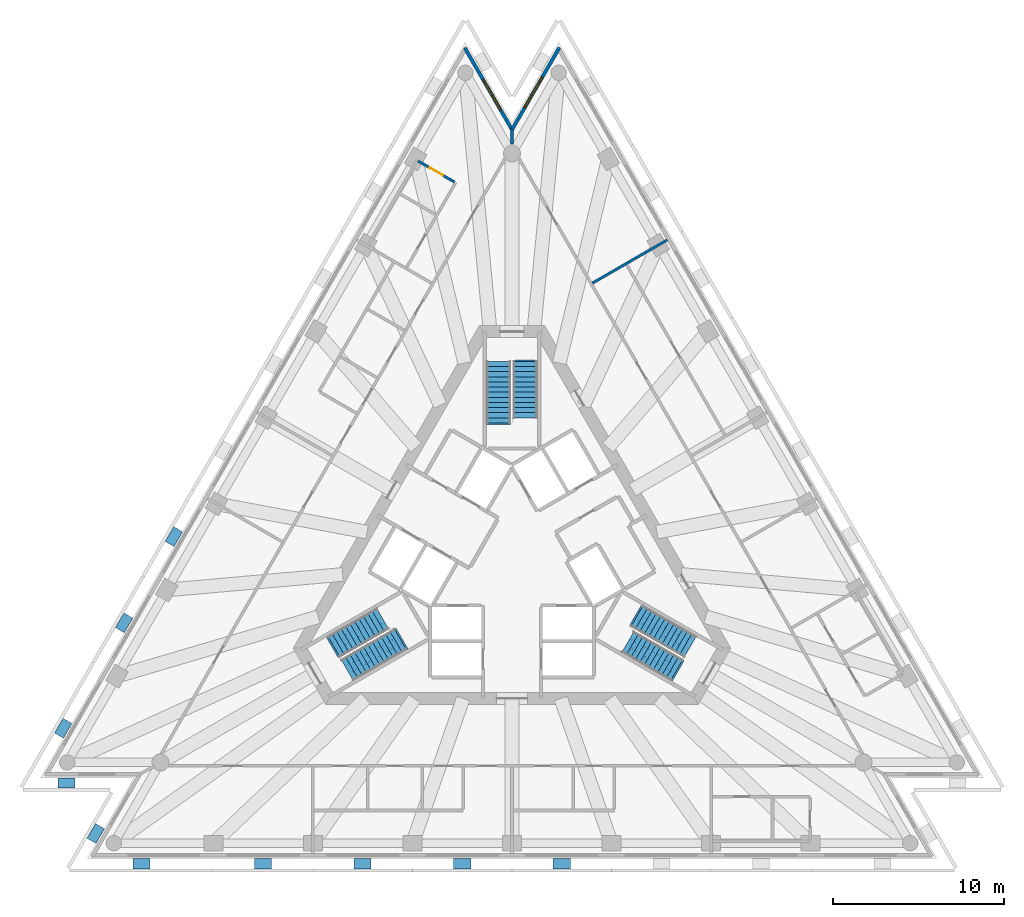
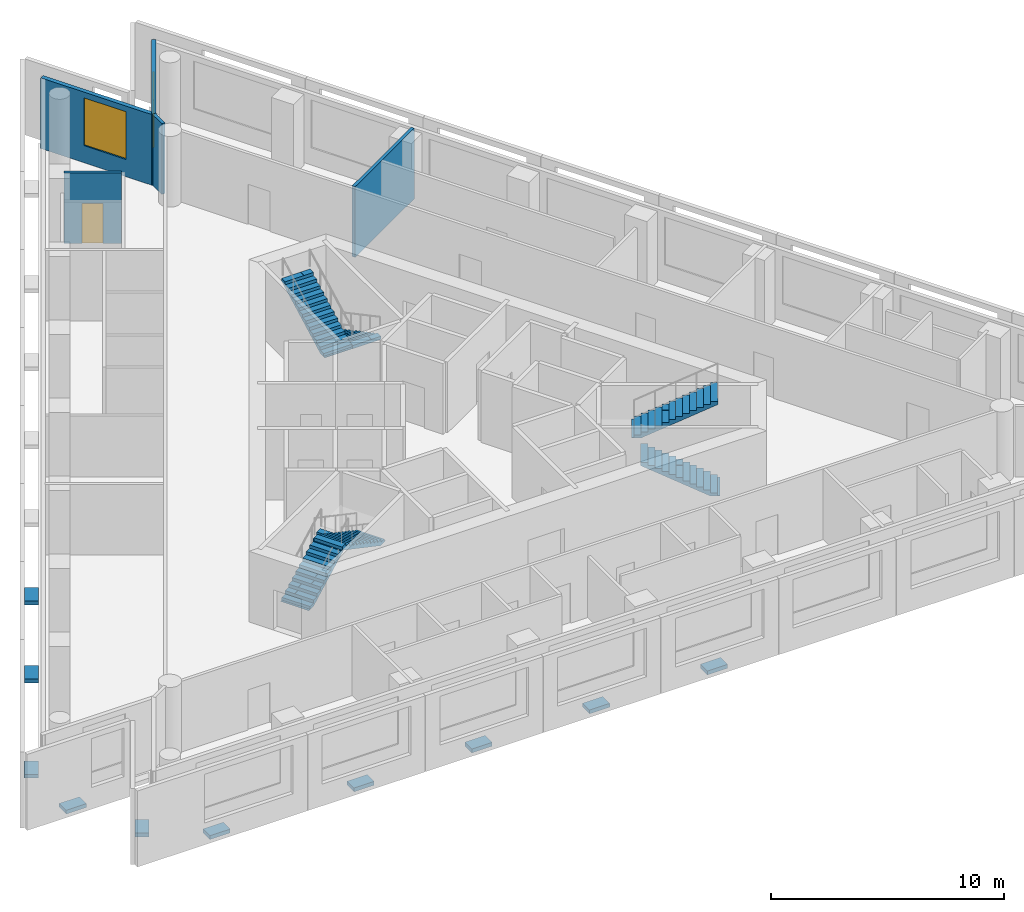
# One storey, part 7 of 10: 10 discrete accessories, 6 stair flights, 5 walls, 2 windows, 1 door, 3 openings, 3 elements without a shape of their own.
"""IFC4 building model written with IfcOpenShell, lengths in metres."""

from ifc_helpers import new_model, si_unit, direction, frame, frame_2d, origin, origin_2d, place, context, subcontext, project, spatial, polyline, rectangle, outline, extrude, material, layer, layer_set, layer_usage, type_object, element, fill, aggregate, save


model = new_model("IFC4")

# Units and contexts
model_context = context("Model", 3, precision=1e-05, world=origin(), true_north=direction((0.0, 1.0)))
body_context = subcontext(model_context, "Body", "Model", "MODEL_VIEW")
ifc_project = project(units=[si_unit("LENGTHUNIT", "METRE"), si_unit("AREAUNIT", "SQUARE_METRE"), si_unit("VOLUMEUNIT", "CUBIC_METRE"), si_unit("PLANEANGLEUNIT", "RADIAN"), si_unit("MASSUNIT", "GRAM", prefix="KILO")], contexts=[model_context])

# Site, building, storey
site_placement = place(None, origin())
site = spatial("IfcSite", under=ifc_project, at=site_placement, CompositionType="ELEMENT")
building_placement = place(site_placement, origin())
building = spatial("IfcBuilding", under=site, at=building_placement, Name="Triada Interchange Tower", CompositionType="ELEMENT")
storey_placement = place(building_placement, frame((0.0, 0.0, 243.300048828125)))
storey = spatial("IfcBuildingStorey", under=building, at=storey_placement, Name="L57", CompositionType="ELEMENT", Elevation=243.300048828125)

# Wall, opening, window
ifc_material_1 = material(Name="Cement board")
ifc_layer_1 = layer(ifc_material_1, 0.02001953125, Name="Cement board cladding")
ifc_material_2 = material(Name="Sheathing board")
ifc_layer_2 = layer(ifc_material_2, 0.014892578125, Name="Sheathing board")
ifc_material_3 = material(Name="Mineral wool")
ifc_layer_3 = layer(ifc_material_3, 0.14990234375, Name="Mineral wool between steel studs")
ifc_material_4 = material(Name="Gypsum board")
ifc_layer_4 = layer(ifc_material_4, 0.014892578125, Name="Plasterboard lining")
ifc_layer_set_1 = layer_set([ifc_layer_1, ifc_layer_2, ifc_layer_3, ifc_layer_4], Name="External wall 200")
ifc_layer_usage = layer_usage(ifc_layer_set_1, "AXIS2", "POSITIVE", -0.10009765625)
wall_type_1 = type_object("IfcWallType", Name="External wall 200", PredefinedType="ELEMENTEDWALL", material=ifc_layer_set_1)
wall_1_placement = place(storey_placement, frame((2.777099609375, 29.9951171875, 0.0), z_axis=(0.0, 0.0, 1.0), x_axis=(-0.499957919771, -0.866049697453, 0.0)))
wall_1 = element("IfcWall", 1, at=wall_1_placement, inside=storey, type_object=wall_type_1, material=ifc_layer_usage, Name="External wall L57 N-1", PredefinedType="ELEMENTEDWALL", context=body_context, shape_type="SweptSolid", body=[
    extrude(rectangle(XDim=5.62451171875, YDim=0.199951171875, at=frame_2d((2.812255859375, 0.0))), origin(), (0.0, 0.0, 1.0), 3.699951171875),
])
opening_1_placement = place(wall_1_placement, frame((1.989990234375, 0.0, 0.89990234375)))
opening_1 = element("IfcOpeningElement", 2, at=opening_1_placement, cuts=wall_1, Name="Opening WC29", PredefinedType="OPENING", context=body_context, shape_type="SweptSolid", body=[
    extrude(rectangle(XDim=2.10009765625, YDim=2.5, at=frame_2d((1.050048828125, 1.25))), frame((0.0, 0.10986328125, 0.0), z_axis=(0.0, -1.0, 0.0), x_axis=(1.0, 0.0, 0.0)), (0.0, 0.0, 1.0), 0.219970703125),
])
ifc_material_5 = material(Name="Double glazed aluminium window", Category="aluminium")
window_type = type_object("IfcWindowType", Name="Ribbon window C pocket", PartitioningType="SINGLE_PANEL", PredefinedType="WINDOW", material=ifc_material_5)
window_1_placement = place(opening_1_placement, origin())
window_1 = element("IfcWindow", 3, at=window_1_placement, inside=storey, type_object=window_type, Name="Window L57 N-1 1", OverallHeight=2.5, OverallWidth=2.10009765625, PartitioningType="SINGLE_PANEL", PredefinedType="WINDOW", context=body_context, shape_type="SweptSolid", body=[
    extrude(rectangle(XDim=2.10009765625, YDim=2.5, at=frame_2d((1.050048828125, 1.25))), frame((0.0, 0.030029296875, 0.0), z_axis=(0.0, -1.0, 0.0), x_axis=(1.0, 0.0, 0.0)), (0.0, 0.0, 1.0), 0.06005859375),
])
fill(opening_1, window_1)

wall_2_placement = place(storey_placement, frame((0.044921875, 25.10693359375, 0.0), z_axis=(0.0, 0.0, 1.0), x_axis=(-0.499957919771, 0.866049697453, 0.0)))
wall_2 = element("IfcWall", 4, at=wall_2_placement, inside=storey, type_object=wall_type_1, material=ifc_layer_usage, Name="External wall L57 N-2", PredefinedType="ELEMENTEDWALL", context=body_context, shape_type="SweptSolid", body=[
    extrude(rectangle(XDim=5.62451171875, YDim=0.199951171875, at=frame_2d((2.812255859375, 0.0))), origin(), (0.0, 0.0, 1.0), 3.699951171875),
])
opening_2_placement = place(wall_2_placement, frame((1.389892578125, 0.0, 0.89990234375)))
opening_2 = element("IfcOpeningElement", 5, at=opening_2_placement, cuts=wall_2, Name="Opening WC30", PredefinedType="OPENING", context=body_context, shape_type="SweptSolid", body=[
    extrude(rectangle(XDim=2.10009765625, YDim=2.5, at=frame_2d((1.050048828125, 1.25))), frame((0.0, 0.10986328125, 0.0), z_axis=(0.0, -1.0, 0.0), x_axis=(1.0, 0.0, 0.0)), (0.0, 0.0, 1.0), 0.219970703125),
])
window_2_placement = place(opening_2_placement, origin())
window_2 = element("IfcWindow", 6, at=window_2_placement, inside=storey, type_object=window_type, Name="Window L57 N-2 1", OverallHeight=2.5, OverallWidth=2.10009765625, PartitioningType="SINGLE_PANEL", PredefinedType="WINDOW", context=body_context, shape_type="SweptSolid", body=[
    extrude(rectangle(XDim=2.10009765625, YDim=2.5, at=frame_2d((1.050048828125, 1.25))), frame((0.0, 0.030029296875, 0.0), z_axis=(0.0, -1.0, 0.0), x_axis=(1.0, 0.0, 0.0)), (0.0, 0.0, 1.0), 0.06005859375),
])
fill(opening_2, window_2)

# Walls
ifc_material_6 = material(Name="Gypsum board partition")
ifc_layer_5 = layer(ifc_material_6, 0.14990234375)
ifc_layer_set_2 = layer_set([ifc_layer_5], Name="PARTITION 150 EI 180")
wall_type_2 = type_object("IfcWallType", Name="PARTITION 150 EI 180", PredefinedType="PARTITIONING", material=ifc_layer_set_2)
wall_3_placement = place(storey_placement, frame((0.0, 24.35009765625, 0.0), z_axis=(0.0, 0.0, 1.0), x_axis=(0.0, 1.0, 0.0)))
element("IfcWall", 7, at=wall_3_placement, inside=storey, type_object=wall_type_2, Name="Wall L56 20", PredefinedType="PARTITIONING", context=body_context, shape_type="SweptSolid", body=[
    extrude(rectangle(XDim=0.8349609375, YDim=0.14990234375, at=frame_2d((0.41748046875, 0.0))), origin(), (0.0, 0.0, 1.0), 3.699951171875),
])
wall_4_placement = place(storey_placement, frame((4.7109375, 16.18994140625, 0.0), z_axis=(0.0, 0.0, 1.0), x_axis=(0.866065287345, 0.499930913282, 0.0)))
element("IfcWall", 8, at=wall_4_placement, inside=storey, type_object=wall_type_2, Name="Wall L56 24", PredefinedType="PARTITIONING", context=body_context, shape_type="SweptSolid", body=[
    extrude(rectangle(XDim=5.069091796875, YDim=0.14990234375, at=frame_2d((2.53466796875, 0.0))), origin(), (0.0, 0.0, 1.0), 3.699951171875),
])

# Wall, opening, door
ifc_layer_6 = layer(ifc_material_6, 0.14990234375)
ifc_layer_set_3 = layer_set([ifc_layer_6], Name="PARTITION 150 EI 90")
wall_type_3 = type_object("IfcWallType", Name="PARTITION 150 EI 90", PredefinedType="PARTITIONING", material=ifc_layer_set_3)
wall_5_placement = place(storey_placement, frame((-5.501953125, 23.343994140625, 0.0), z_axis=(0.0, 0.0, 1.0), x_axis=(0.866000604582, -0.500042951019, 0.0)))
wall_5 = element("IfcWall", 9, at=wall_5_placement, inside=storey, type_object=wall_type_3, Name="Wall L56 30", PredefinedType="PARTITIONING", context=body_context, shape_type="SweptSolid", body=[
    extrude(rectangle(XDim=2.461669921875, YDim=0.14990234375, at=frame_2d((1.23095703125, 0.0))), origin(), (0.0, 0.0, 1.0), 3.699951171875),
])
opening_3_placement = place(wall_5_placement, frame((0.77490234375, 0.0, 0.0)))
opening_3 = element("IfcOpeningElement", 10, at=opening_3_placement, cuts=wall_5, Name="Opening D56-32", PredefinedType="OPENING", context=body_context, shape_type="SweptSolid", body=[
    extrude(rectangle(XDim=0.89990234375, YDim=2.10009765625, at=frame_2d((0.449951171875, 1.050048828125))), frame((0.0, 0.0849609375, 0.0), z_axis=(0.0, -1.0, 0.0), x_axis=(1.0, 0.0, 0.0)), (0.0, 0.0, 1.0), 0.169921875),
])
ifc_material_7 = material(Name="Steel S235 door leaf", Category="steel")
door_type = type_object("IfcDoorType", Name="SERVICE DOOR 900 EI2 45-C5S200", OperationType="NOTDEFINED", PredefinedType="DOOR", material=ifc_material_7)
door_placement = place(opening_3_placement, origin())
door = element("IfcDoor", 11, at=door_placement, inside=storey, type_object=door_type, Name="Door D56-32 L57", OperationType="SINGLE_SWING_RIGHT", OverallHeight=2.10009765625, OverallWidth=0.89990234375, PredefinedType="DOOR", context=body_context, shape_type="SweptSolid", body=[
    extrude(rectangle(XDim=0.89990234375, YDim=2.10009765625, at=frame_2d((0.449951171875, 1.050048828125))), frame((0.0, 0.02490234375, 0.0), z_axis=(0.0, -1.0, 0.0), x_axis=(1.0, 0.0, 0.0)), (0.0, 0.0, 1.0), 0.050048828125),
])
fill(opening_3, door)

# Stair, stair flights
ifc_material_8 = material(Name="Concrete C35/45", Category="concrete")
stair_type = type_object("IfcStairType", Name="HALF TURN STAIR 1400", PredefinedType="HALF_TURN_STAIR", material=ifc_material_8)
stair_1_placement = place(storey_placement, origin())
stair_1 = element("IfcStair", 12, at=stair_1_placement, inside=storey, type_object=stair_type, Name="Exit stair S56-1", PredefinedType="HALF_TURN_STAIR")
stair_flight_type = type_object("IfcStairFlightType", Name="STRAIGHT STAIR FLIGHT 1400", PredefinedType="STRAIGHT", material=ifc_material_8)
stair_flight_1_placement = place(storey_placement, frame((0.800048828125, 11.60009765625, 0.0), z_axis=(0.0, 0.0, 1.0), x_axis=(0.0, -1.0, 0.0)))
stair_flight_1 = element("IfcStairFlight", 13, at=stair_flight_1_placement, type_object=stair_flight_type, Name="S56-1 flight 1", NumberOfRisers=12, NumberOfTreads=11, PredefinedType="STRAIGHT", RiserHeight=0.16, TreadLength=0.3, context=body_context, shape_type="SweptSolid", body=[
    extrude(outline(polyline([(-0.10009765625, 0.0), (-0.10009765625, 0.02001953125), (0.0, 0.02001953125), (0.0, 0.159912109375), (0.300048828125, 0.159912109375), (0.300048828125, 0.320068359375), (0.60009765625, 0.320068359375), (0.60009765625, 0.47998046875), (0.89990234375, 0.47998046875), (0.89990234375, 0.639892578125), (1.199951171875, 0.639892578125), (1.199951171875, 0.800048828125), (1.5, 0.800048828125), (1.5, 0.9599609375), (1.800048828125, 0.9599609375), (1.800048828125, 1.1201171875), (2.10009765625, 1.1201171875), (2.10009765625, 1.280029296875), (2.39990234375, 1.280029296875), (2.39990234375, 1.43994140625), (2.699951171875, 1.43994140625), (2.699951171875, 1.60009765625), (3.0, 1.60009765625), (3.0, 1.760009765625), (3.300048828125, 1.760009765625), (3.303955078125, 1.760009765625), (3.303955078125, 1.919921875), (3.303955078125, 1.590087890625), (0.318603515625, 0.0), (-0.10009765625, 0.0)])), frame((0.0, 0.699951171875, 0.0), z_axis=(0.0, -1.0, 0.0), x_axis=(1.0, 0.0, 0.0)), (0.0, 0.0, 1.0), 0.46533203125),
    extrude(outline(polyline([(-0.10009765625, 0.0), (-0.10009765625, 0.02001953125), (0.0, 0.02001953125), (0.0, 0.159912109375), (0.300048828125, 0.159912109375), (0.300048828125, 0.320068359375), (0.60009765625, 0.320068359375), (0.60009765625, 0.47998046875), (0.89990234375, 0.47998046875), (0.89990234375, 0.639892578125), (1.199951171875, 0.639892578125), (1.199951171875, 0.800048828125), (1.5, 0.800048828125), (1.5, 0.9599609375), (1.800048828125, 0.9599609375), (1.800048828125, 1.1201171875), (2.10009765625, 1.1201171875), (2.10009765625, 1.280029296875), (2.39990234375, 1.280029296875), (2.39990234375, 1.43994140625), (2.699951171875, 1.43994140625), (2.699951171875, 1.60009765625), (3.0, 1.60009765625), (3.0, 1.760009765625), (3.300048828125, 1.760009765625), (3.303955078125, 1.760009765625), (3.303955078125, 1.919921875), (3.303955078125, 1.590087890625), (0.318603515625, 0.0), (-0.10009765625, 0.0)])), frame((0.0, 0.232666015625, 0.0), z_axis=(0.0, -1.0, 0.0), x_axis=(1.0, 0.0, 0.0)), (0.0, 0.0, 1.0), 0.46533203125),
    extrude(outline(polyline([(-0.10009765625, 0.0), (-0.10009765625, 0.02001953125), (0.0, 0.02001953125), (0.0, 0.159912109375), (0.300048828125, 0.159912109375), (0.300048828125, 0.320068359375), (0.60009765625, 0.320068359375), (0.60009765625, 0.47998046875), (0.89990234375, 0.47998046875), (0.89990234375, 0.639892578125), (1.199951171875, 0.639892578125), (1.199951171875, 0.800048828125), (1.5, 0.800048828125), (1.5, 0.9599609375), (1.800048828125, 0.9599609375), (1.800048828125, 1.1201171875), (2.10009765625, 1.1201171875), (2.10009765625, 1.280029296875), (2.39990234375, 1.280029296875), (2.39990234375, 1.43994140625), (2.699951171875, 1.43994140625), (2.699951171875, 1.60009765625), (3.0, 1.60009765625), (3.0, 1.760009765625), (3.300048828125, 1.760009765625), (3.303955078125, 1.760009765625), (3.303955078125, 1.919921875), (3.303955078125, 1.590087890625), (0.318603515625, 0.0), (-0.10009765625, 0.0)])), frame((0.0, -0.234619140625, 0.0), z_axis=(0.0, -1.0, 0.0), x_axis=(1.0, 0.0, 0.0)), (0.0, 0.0, 1.0), 0.46533203125),
])
stair_flight_2_placement = place(storey_placement, frame((-0.800048828125, 8.0, 1.919921875), z_axis=(0.0, 0.0, 1.0), x_axis=(0.0, 1.0, 0.0)))
stair_flight_2 = element("IfcStairFlight", 14, at=stair_flight_2_placement, type_object=stair_flight_type, Name="S56-1 flight 2", NumberOfRisers=13, NumberOfTreads=12, PredefinedType="STRAIGHT", RiserHeight=0.16, TreadLength=0.3, context=body_context, shape_type="SweptSolid", body=[
    extrude(outline(polyline([(-0.10009765625, 0.0), (-0.10009765625, 0.02001953125), (0.0, 0.02001953125), (0.0, 0.159912109375), (0.300048828125, 0.159912109375), (0.300048828125, 0.320068359375), (0.60009765625, 0.320068359375), (0.60009765625, 0.47998046875), (0.89990234375, 0.47998046875), (0.89990234375, 0.639892578125), (1.199951171875, 0.639892578125), (1.199951171875, 0.800048828125), (1.5, 0.800048828125), (1.5, 0.9599609375), (1.800048828125, 0.9599609375), (1.800048828125, 1.1201171875), (2.10009765625, 1.1201171875), (2.10009765625, 1.280029296875), (2.39990234375, 1.280029296875), (2.39990234375, 1.43994140625), (2.699951171875, 1.43994140625), (2.699951171875, 1.60009765625), (3.0, 1.60009765625), (3.0, 1.760009765625), (3.300048828125, 1.760009765625), (3.300048828125, 1.919921875), (3.60009765625, 1.919921875), (3.60400390625, 1.919921875), (3.60400390625, 2.080078125), (3.60400390625, 1.75), (0.318603515625, 0.0), (-0.10009765625, 0.0)])), frame((0.0, 0.699951171875, 0.0), z_axis=(0.0, -1.0, 0.0), x_axis=(1.0, 0.0, 0.0)), (0.0, 0.0, 1.0), 0.46533203125),
    extrude(outline(polyline([(-0.10009765625, 0.0), (-0.10009765625, 0.02001953125), (0.0, 0.02001953125), (0.0, 0.159912109375), (0.300048828125, 0.159912109375), (0.300048828125, 0.320068359375), (0.60009765625, 0.320068359375), (0.60009765625, 0.47998046875), (0.89990234375, 0.47998046875), (0.89990234375, 0.639892578125), (1.199951171875, 0.639892578125), (1.199951171875, 0.800048828125), (1.5, 0.800048828125), (1.5, 0.9599609375), (1.800048828125, 0.9599609375), (1.800048828125, 1.1201171875), (2.10009765625, 1.1201171875), (2.10009765625, 1.280029296875), (2.39990234375, 1.280029296875), (2.39990234375, 1.43994140625), (2.699951171875, 1.43994140625), (2.699951171875, 1.60009765625), (3.0, 1.60009765625), (3.0, 1.760009765625), (3.300048828125, 1.760009765625), (3.300048828125, 1.919921875), (3.60009765625, 1.919921875), (3.60400390625, 1.919921875), (3.60400390625, 2.080078125), (3.60400390625, 1.75), (0.318603515625, 0.0), (-0.10009765625, 0.0)])), frame((0.0, 0.232666015625, 0.0), z_axis=(0.0, -1.0, 0.0), x_axis=(1.0, 0.0, 0.0)), (0.0, 0.0, 1.0), 0.46533203125),
    extrude(outline(polyline([(-0.10009765625, 0.0), (-0.10009765625, 0.02001953125), (0.0, 0.02001953125), (0.0, 0.159912109375), (0.300048828125, 0.159912109375), (0.300048828125, 0.320068359375), (0.60009765625, 0.320068359375), (0.60009765625, 0.47998046875), (0.89990234375, 0.47998046875), (0.89990234375, 0.639892578125), (1.199951171875, 0.639892578125), (1.199951171875, 0.800048828125), (1.5, 0.800048828125), (1.5, 0.9599609375), (1.800048828125, 0.9599609375), (1.800048828125, 1.1201171875), (2.10009765625, 1.1201171875), (2.10009765625, 1.280029296875), (2.39990234375, 1.280029296875), (2.39990234375, 1.43994140625), (2.699951171875, 1.43994140625), (2.699951171875, 1.60009765625), (3.0, 1.60009765625), (3.0, 1.760009765625), (3.300048828125, 1.760009765625), (3.300048828125, 1.919921875), (3.60009765625, 1.919921875), (3.60400390625, 1.919921875), (3.60400390625, 2.080078125), (3.60400390625, 1.75), (0.318603515625, 0.0), (-0.10009765625, 0.0)])), frame((0.0, -0.234619140625, 0.0), z_axis=(0.0, -1.0, 0.0), x_axis=(1.0, 0.0, 0.0)), (0.0, 0.0, 1.0), 0.46533203125),
])
aggregate(stair_1, [stair_flight_1, stair_flight_2])

stair_2_placement = place(storey_placement, origin())
stair_2 = element("IfcStair", 15, at=stair_2_placement, inside=storey, type_object=stair_type, Name="Exit stair S56-2", PredefinedType="HALF_TURN_STAIR")
stair_flight_3_placement = place(storey_placement, frame((-10.446044921875, -5.10693359375, 0.0), z_axis=(0.0, 0.0, 1.0), x_axis=(0.866025403784, 0.5, 0.0)))
stair_flight_3 = element("IfcStairFlight", 16, at=stair_flight_3_placement, type_object=stair_flight_type, Name="S56-2 flight 1", NumberOfRisers=12, NumberOfTreads=11, PredefinedType="STRAIGHT", RiserHeight=0.16, TreadLength=0.3, context=body_context, shape_type="SweptSolid", body=[
    extrude(outline(polyline([(-0.10009765625, 0.0), (-0.10009765625, 0.02001953125), (0.0, 0.02001953125), (0.0, 0.159912109375), (0.300048828125, 0.159912109375), (0.300048828125, 0.320068359375), (0.60009765625, 0.320068359375), (0.60009765625, 0.47998046875), (0.89990234375, 0.47998046875), (0.89990234375, 0.639892578125), (1.199951171875, 0.639892578125), (1.199951171875, 0.800048828125), (1.5, 0.800048828125), (1.5, 0.9599609375), (1.800048828125, 0.9599609375), (1.800048828125, 1.1201171875), (2.10009765625, 1.1201171875), (2.10009765625, 1.280029296875), (2.39990234375, 1.280029296875), (2.39990234375, 1.43994140625), (2.699951171875, 1.43994140625), (2.699951171875, 1.60009765625), (3.0, 1.60009765625), (3.0, 1.760009765625), (3.300048828125, 1.760009765625), (3.303955078125, 1.760009765625), (3.303955078125, 1.919921875), (3.303955078125, 1.590087890625), (0.318603515625, 0.0), (-0.10009765625, 0.0)])), frame((0.0, 0.699951171875, 0.0), z_axis=(0.0, -1.0, 0.0), x_axis=(1.0, 0.0, 0.0)), (0.0, 0.0, 1.0), 0.46533203125),
    extrude(outline(polyline([(-0.10009765625, 0.0), (-0.10009765625, 0.02001953125), (0.0, 0.02001953125), (0.0, 0.159912109375), (0.300048828125, 0.159912109375), (0.300048828125, 0.320068359375), (0.60009765625, 0.320068359375), (0.60009765625, 0.47998046875), (0.89990234375, 0.47998046875), (0.89990234375, 0.639892578125), (1.199951171875, 0.639892578125), (1.199951171875, 0.800048828125), (1.5, 0.800048828125), (1.5, 0.9599609375), (1.800048828125, 0.9599609375), (1.800048828125, 1.1201171875), (2.10009765625, 1.1201171875), (2.10009765625, 1.280029296875), (2.39990234375, 1.280029296875), (2.39990234375, 1.43994140625), (2.699951171875, 1.43994140625), (2.699951171875, 1.60009765625), (3.0, 1.60009765625), (3.0, 1.760009765625), (3.300048828125, 1.760009765625), (3.303955078125, 1.760009765625), (3.303955078125, 1.919921875), (3.303955078125, 1.590087890625), (0.318603515625, 0.0), (-0.10009765625, 0.0)])), frame((0.0, 0.232666015625, 0.0), z_axis=(0.0, -1.0, 0.0), x_axis=(1.0, 0.0, 0.0)), (0.0, 0.0, 1.0), 0.46533203125),
    extrude(outline(polyline([(-0.10009765625, 0.0), (-0.10009765625, 0.02001953125), (0.0, 0.02001953125), (0.0, 0.159912109375), (0.300048828125, 0.159912109375), (0.300048828125, 0.320068359375), (0.60009765625, 0.320068359375), (0.60009765625, 0.47998046875), (0.89990234375, 0.47998046875), (0.89990234375, 0.639892578125), (1.199951171875, 0.639892578125), (1.199951171875, 0.800048828125), (1.5, 0.800048828125), (1.5, 0.9599609375), (1.800048828125, 0.9599609375), (1.800048828125, 1.1201171875), (2.10009765625, 1.1201171875), (2.10009765625, 1.280029296875), (2.39990234375, 1.280029296875), (2.39990234375, 1.43994140625), (2.699951171875, 1.43994140625), (2.699951171875, 1.60009765625), (3.0, 1.60009765625), (3.0, 1.760009765625), (3.300048828125, 1.760009765625), (3.303955078125, 1.760009765625), (3.303955078125, 1.919921875), (3.303955078125, 1.590087890625), (0.318603515625, 0.0), (-0.10009765625, 0.0)])), frame((0.0, -0.234619140625, 0.0), z_axis=(0.0, -1.0, 0.0), x_axis=(1.0, 0.0, 0.0)), (0.0, 0.0, 1.0), 0.46533203125),
])
stair_flight_4_placement = place(storey_placement, frame((-6.528076171875, -4.693115234375, 1.919921875), z_axis=(0.0, 0.0, 1.0), x_axis=(-0.866025403784, -0.5, 0.0)))
stair_flight_4 = element("IfcStairFlight", 17, at=stair_flight_4_placement, type_object=stair_flight_type, Name="S56-2 flight 2", NumberOfRisers=13, NumberOfTreads=12, PredefinedType="STRAIGHT", RiserHeight=0.16, TreadLength=0.3, context=body_context, shape_type="SweptSolid", body=[
    extrude(outline(polyline([(-0.10009765625, 0.0), (-0.10009765625, 0.02001953125), (0.0, 0.02001953125), (0.0, 0.159912109375), (0.300048828125, 0.159912109375), (0.300048828125, 0.320068359375), (0.60009765625, 0.320068359375), (0.60009765625, 0.47998046875), (0.89990234375, 0.47998046875), (0.89990234375, 0.639892578125), (1.199951171875, 0.639892578125), (1.199951171875, 0.800048828125), (1.5, 0.800048828125), (1.5, 0.9599609375), (1.800048828125, 0.9599609375), (1.800048828125, 1.1201171875), (2.10009765625, 1.1201171875), (2.10009765625, 1.280029296875), (2.39990234375, 1.280029296875), (2.39990234375, 1.43994140625), (2.699951171875, 1.43994140625), (2.699951171875, 1.60009765625), (3.0, 1.60009765625), (3.0, 1.760009765625), (3.300048828125, 1.760009765625), (3.300048828125, 1.919921875), (3.60009765625, 1.919921875), (3.60400390625, 1.919921875), (3.60400390625, 2.080078125), (3.60400390625, 1.75), (0.318603515625, 0.0), (-0.10009765625, 0.0)])), frame((0.0, 0.699951171875, 0.0), z_axis=(0.0, -1.0, 0.0), x_axis=(1.0, 0.0, 0.0)), (0.0, 0.0, 1.0), 0.46533203125),
    extrude(outline(polyline([(-0.10009765625, 0.0), (-0.10009765625, 0.02001953125), (0.0, 0.02001953125), (0.0, 0.159912109375), (0.300048828125, 0.159912109375), (0.300048828125, 0.320068359375), (0.60009765625, 0.320068359375), (0.60009765625, 0.47998046875), (0.89990234375, 0.47998046875), (0.89990234375, 0.639892578125), (1.199951171875, 0.639892578125), (1.199951171875, 0.800048828125), (1.5, 0.800048828125), (1.5, 0.9599609375), (1.800048828125, 0.9599609375), (1.800048828125, 1.1201171875), (2.10009765625, 1.1201171875), (2.10009765625, 1.280029296875), (2.39990234375, 1.280029296875), (2.39990234375, 1.43994140625), (2.699951171875, 1.43994140625), (2.699951171875, 1.60009765625), (3.0, 1.60009765625), (3.0, 1.760009765625), (3.300048828125, 1.760009765625), (3.300048828125, 1.919921875), (3.60009765625, 1.919921875), (3.60400390625, 1.919921875), (3.60400390625, 2.080078125), (3.60400390625, 1.75), (0.318603515625, 0.0), (-0.10009765625, 0.0)])), frame((0.0, 0.232666015625, 0.0), z_axis=(0.0, -1.0, 0.0), x_axis=(1.0, 0.0, 0.0)), (0.0, 0.0, 1.0), 0.46533203125),
    extrude(outline(polyline([(-0.10009765625, 0.0), (-0.10009765625, 0.02001953125), (0.0, 0.02001953125), (0.0, 0.159912109375), (0.300048828125, 0.159912109375), (0.300048828125, 0.320068359375), (0.60009765625, 0.320068359375), (0.60009765625, 0.47998046875), (0.89990234375, 0.47998046875), (0.89990234375, 0.639892578125), (1.199951171875, 0.639892578125), (1.199951171875, 0.800048828125), (1.5, 0.800048828125), (1.5, 0.9599609375), (1.800048828125, 0.9599609375), (1.800048828125, 1.1201171875), (2.10009765625, 1.1201171875), (2.10009765625, 1.280029296875), (2.39990234375, 1.280029296875), (2.39990234375, 1.43994140625), (2.699951171875, 1.43994140625), (2.699951171875, 1.60009765625), (3.0, 1.60009765625), (3.0, 1.760009765625), (3.300048828125, 1.760009765625), (3.300048828125, 1.919921875), (3.60009765625, 1.919921875), (3.60400390625, 1.919921875), (3.60400390625, 2.080078125), (3.60400390625, 1.75), (0.318603515625, 0.0), (-0.10009765625, 0.0)])), frame((0.0, -0.234619140625, 0.0), z_axis=(0.0, -1.0, 0.0), x_axis=(1.0, 0.0, 0.0)), (0.0, 0.0, 1.0), 0.46533203125),
])
aggregate(stair_2, [stair_flight_3, stair_flight_4])

stair_3_placement = place(storey_placement, origin())
stair_3 = element("IfcStair", 18, at=stair_3_placement, inside=storey, type_object=stair_type, Name="Exit stair S56-3", PredefinedType="HALF_TURN_STAIR")
stair_flight_5_placement = place(storey_placement, frame((9.64599609375, -6.492919921875, 0.0), z_axis=(0.0, 0.0, 1.0), x_axis=(-0.866025403784, 0.5, 0.0)))
stair_flight_5 = element("IfcStairFlight", 19, at=stair_flight_5_placement, type_object=stair_flight_type, Name="S56-3 flight 1", NumberOfRisers=12, NumberOfTreads=11, PredefinedType="STRAIGHT", RiserHeight=0.16, TreadLength=0.3, context=body_context, shape_type="SweptSolid", body=[
    extrude(outline(polyline([(-0.10009765625, 0.0), (-0.10009765625, 0.02001953125), (0.0, 0.02001953125), (0.0, 0.159912109375), (0.300048828125, 0.159912109375), (0.300048828125, 0.320068359375), (0.60009765625, 0.320068359375), (0.60009765625, 0.47998046875), (0.89990234375, 0.47998046875), (0.89990234375, 0.639892578125), (1.199951171875, 0.639892578125), (1.199951171875, 0.800048828125), (1.5, 0.800048828125), (1.5, 0.9599609375), (1.800048828125, 0.9599609375), (1.800048828125, 1.1201171875), (2.10009765625, 1.1201171875), (2.10009765625, 1.280029296875), (2.39990234375, 1.280029296875), (2.39990234375, 1.43994140625), (2.699951171875, 1.43994140625), (2.699951171875, 1.60009765625), (3.0, 1.60009765625), (3.0, 1.760009765625), (3.300048828125, 1.760009765625), (3.303955078125, 1.760009765625), (3.303955078125, 1.919921875), (3.303955078125, 1.590087890625), (0.318603515625, 0.0), (-0.10009765625, 0.0)])), frame((0.0, 0.699951171875, 0.0), z_axis=(0.0, -1.0, 0.0), x_axis=(1.0, 0.0, 0.0)), (0.0, 0.0, 1.0), 0.46533203125),
    extrude(outline(polyline([(-0.10009765625, 0.0), (-0.10009765625, 0.02001953125), (0.0, 0.02001953125), (0.0, 0.159912109375), (0.300048828125, 0.159912109375), (0.300048828125, 0.320068359375), (0.60009765625, 0.320068359375), (0.60009765625, 0.47998046875), (0.89990234375, 0.47998046875), (0.89990234375, 0.639892578125), (1.199951171875, 0.639892578125), (1.199951171875, 0.800048828125), (1.5, 0.800048828125), (1.5, 0.9599609375), (1.800048828125, 0.9599609375), (1.800048828125, 1.1201171875), (2.10009765625, 1.1201171875), (2.10009765625, 1.280029296875), (2.39990234375, 1.280029296875), (2.39990234375, 1.43994140625), (2.699951171875, 1.43994140625), (2.699951171875, 1.60009765625), (3.0, 1.60009765625), (3.0, 1.760009765625), (3.300048828125, 1.760009765625), (3.303955078125, 1.760009765625), (3.303955078125, 1.919921875), (3.303955078125, 1.590087890625), (0.318603515625, 0.0), (-0.10009765625, 0.0)])), frame((0.0, 0.232666015625, 0.0), z_axis=(0.0, -1.0, 0.0), x_axis=(1.0, 0.0, 0.0)), (0.0, 0.0, 1.0), 0.46533203125),
    extrude(outline(polyline([(-0.10009765625, 0.0), (-0.10009765625, 0.02001953125), (0.0, 0.02001953125), (0.0, 0.159912109375), (0.300048828125, 0.159912109375), (0.300048828125, 0.320068359375), (0.60009765625, 0.320068359375), (0.60009765625, 0.47998046875), (0.89990234375, 0.47998046875), (0.89990234375, 0.639892578125), (1.199951171875, 0.639892578125), (1.199951171875, 0.800048828125), (1.5, 0.800048828125), (1.5, 0.9599609375), (1.800048828125, 0.9599609375), (1.800048828125, 1.1201171875), (2.10009765625, 1.1201171875), (2.10009765625, 1.280029296875), (2.39990234375, 1.280029296875), (2.39990234375, 1.43994140625), (2.699951171875, 1.43994140625), (2.699951171875, 1.60009765625), (3.0, 1.60009765625), (3.0, 1.760009765625), (3.300048828125, 1.760009765625), (3.303955078125, 1.760009765625), (3.303955078125, 1.919921875), (3.303955078125, 1.590087890625), (0.318603515625, 0.0), (-0.10009765625, 0.0)])), frame((0.0, -0.234619140625, 0.0), z_axis=(0.0, -1.0, 0.0), x_axis=(1.0, 0.0, 0.0)), (0.0, 0.0, 1.0), 0.46533203125),
])
stair_flight_6_placement = place(storey_placement, frame((7.327880859375, -3.306884765625, 1.919921875), z_axis=(0.0, 0.0, 1.0), x_axis=(0.866025403784, -0.5, 0.0)))
stair_flight_6 = element("IfcStairFlight", 20, at=stair_flight_6_placement, type_object=stair_flight_type, Name="S56-3 flight 2", NumberOfRisers=13, NumberOfTreads=12, PredefinedType="STRAIGHT", RiserHeight=0.16, TreadLength=0.3, context=body_context, shape_type="SweptSolid", body=[
    extrude(outline(polyline([(-0.10009765625, 0.0), (-0.10009765625, 0.02001953125), (0.0, 0.02001953125), (0.0, 0.159912109375), (0.300048828125, 0.159912109375), (0.300048828125, 0.320068359375), (0.60009765625, 0.320068359375), (0.60009765625, 0.47998046875), (0.89990234375, 0.47998046875), (0.89990234375, 0.639892578125), (1.199951171875, 0.639892578125), (1.199951171875, 0.800048828125), (1.5, 0.800048828125), (1.5, 0.9599609375), (1.800048828125, 0.9599609375), (1.800048828125, 1.1201171875), (2.10009765625, 1.1201171875), (2.10009765625, 1.280029296875), (2.39990234375, 1.280029296875), (2.39990234375, 1.43994140625), (2.699951171875, 1.43994140625), (2.699951171875, 1.60009765625), (3.0, 1.60009765625), (3.0, 1.760009765625), (3.300048828125, 1.760009765625), (3.300048828125, 1.919921875), (3.60009765625, 1.919921875), (3.60400390625, 1.919921875), (3.60400390625, 2.080078125), (3.60400390625, 1.75), (0.318603515625, 0.0), (-0.10009765625, 0.0)])), frame((0.0, 0.699951171875, 0.0), z_axis=(0.0, -1.0, 0.0), x_axis=(1.0, 0.0, 0.0)), (0.0, 0.0, 1.0), 0.46533203125),
    extrude(outline(polyline([(-0.10009765625, 0.0), (-0.10009765625, 0.02001953125), (0.0, 0.02001953125), (0.0, 0.159912109375), (0.300048828125, 0.159912109375), (0.300048828125, 0.320068359375), (0.60009765625, 0.320068359375), (0.60009765625, 0.47998046875), (0.89990234375, 0.47998046875), (0.89990234375, 0.639892578125), (1.199951171875, 0.639892578125), (1.199951171875, 0.800048828125), (1.5, 0.800048828125), (1.5, 0.9599609375), (1.800048828125, 0.9599609375), (1.800048828125, 1.1201171875), (2.10009765625, 1.1201171875), (2.10009765625, 1.280029296875), (2.39990234375, 1.280029296875), (2.39990234375, 1.43994140625), (2.699951171875, 1.43994140625), (2.699951171875, 1.60009765625), (3.0, 1.60009765625), (3.0, 1.760009765625), (3.300048828125, 1.760009765625), (3.300048828125, 1.919921875), (3.60009765625, 1.919921875), (3.60400390625, 1.919921875), (3.60400390625, 2.080078125), (3.60400390625, 1.75), (0.318603515625, 0.0), (-0.10009765625, 0.0)])), frame((0.0, 0.232666015625, 0.0), z_axis=(0.0, -1.0, 0.0), x_axis=(1.0, 0.0, 0.0)), (0.0, 0.0, 1.0), 0.46533203125),
    extrude(outline(polyline([(-0.10009765625, 0.0), (-0.10009765625, 0.02001953125), (0.0, 0.02001953125), (0.0, 0.159912109375), (0.300048828125, 0.159912109375), (0.300048828125, 0.320068359375), (0.60009765625, 0.320068359375), (0.60009765625, 0.47998046875), (0.89990234375, 0.47998046875), (0.89990234375, 0.639892578125), (1.199951171875, 0.639892578125), (1.199951171875, 0.800048828125), (1.5, 0.800048828125), (1.5, 0.9599609375), (1.800048828125, 0.9599609375), (1.800048828125, 1.1201171875), (2.10009765625, 1.1201171875), (2.10009765625, 1.280029296875), (2.39990234375, 1.280029296875), (2.39990234375, 1.43994140625), (2.699951171875, 1.43994140625), (2.699951171875, 1.60009765625), (3.0, 1.60009765625), (3.0, 1.760009765625), (3.300048828125, 1.760009765625), (3.300048828125, 1.919921875), (3.60009765625, 1.919921875), (3.60400390625, 1.919921875), (3.60400390625, 2.080078125), (3.60400390625, 1.75), (0.318603515625, 0.0), (-0.10009765625, 0.0)])), frame((0.0, -0.234619140625, 0.0), z_axis=(0.0, -1.0, 0.0), x_axis=(1.0, 0.0, 0.0)), (0.0, 0.0, 1.0), 0.46533203125),
])
aggregate(stair_3, [stair_flight_5, stair_flight_6])

# Discrete accessories
ifc_material_9 = material(Name="Steel S355", Category="steel")
discrete_accessory_type = type_object("IfcDiscreteAccessoryType", Name="Steel bracket outer skin", PredefinedType="BRACKET", material=ifc_material_9)
for number, where, z_axis, x_axis, name in (
    (21, (-19.81103515625, 1.3349609375, -0.27001953125), (0.0, 0.0, 1.0), (-0.866030360477, 0.499991414658, 0.0), "Bracket L57 06"),
    (22, (-22.72705078125, -3.716064453125, -0.27001953125), (0.0, 0.0, 1.0), (-0.866030360477, 0.499991414658, 0.0), "Bracket L57 07"),
    (23, (-26.29296875, -9.89208984375, -0.27001953125), (0.0, 0.0, 1.0), (-0.866030360477, 0.499991414658, 0.0), "Bracket L57 08"),
    (24, (-26.10205078125, -13.093017578125, -0.27001953125), (0.0, 0.0, 1.0), (0.0, -1.0, 0.0), "Bracket L57 09"),
    (25, (-24.388916015625, -16.05908203125, -0.27001953125), (0.0, 0.0, 1.0), (-0.865981339585, 0.500076313667, 0.0), "Bracket L57 10"),
    (26, (-21.712890625, -17.823974609375, -0.27001953125), (0.0, 0.0, 1.0), (0.0, -1.0, 0.0), "Bracket L57 11"),
    (27, (-14.5810546875, -17.823974609375, -0.27001953125), (0.0, 0.0, 1.0), (0.0, -1.0, 0.0), "Bracket L57 12"),
    (28, (-8.7490234375, -17.823974609375, -0.27001953125), (0.0, 0.0, 1.0), (0.0, -1.0, 0.0), "Bracket L57 13"),
    (29, (-2.916015625, -17.823974609375, -0.27001953125), (0.0, 0.0, 1.0), (0.0, -1.0, 0.0), "Bracket L57 14"),
    (30, (2.916015625, -17.823974609375, -0.27001953125), (0.0, 0.0, 1.0), (0.0, -1.0, 0.0), "Bracket L57 15"),
):
    element("IfcDiscreteAccessory", number, at=place(storey_placement, frame(where, z_axis=z_axis, x_axis=x_axis)), inside=storey, type_object=discrete_accessory_type, Name=name, PredefinedType="BRACKET", context=body_context, shape_type="SweptSolid", body=[
        extrude(rectangle(XDim=0.60009765625, YDim=1.0, at=origin_2d()), origin(), (0.0, 0.0, 1.0), 0.199951171875),
    ])

save(model, "model.ifc")
